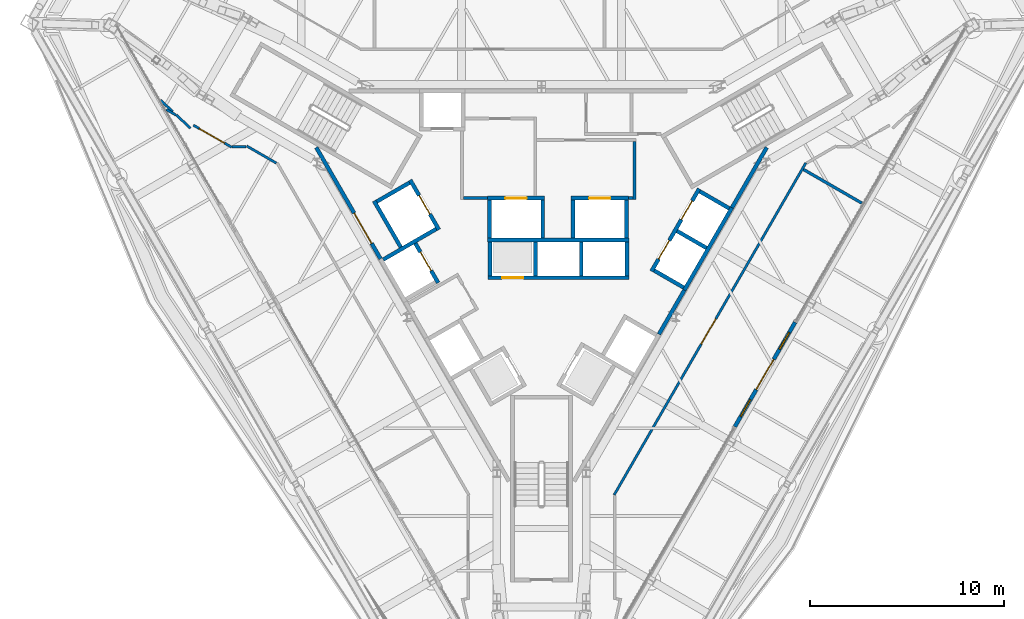
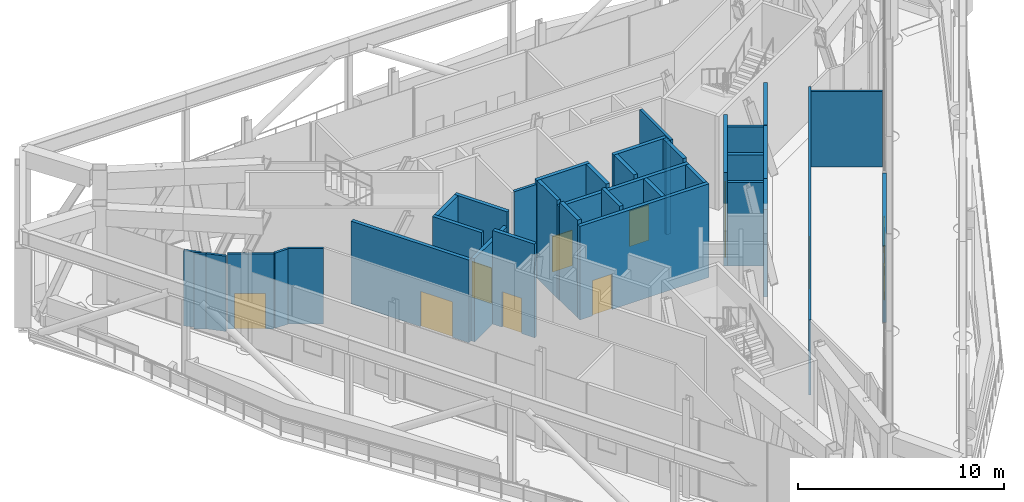
# One storey, part 16 of 25: 37 walls, 11 doors, 2 windows, 13 openings.
"""IFC4 building model written with IfcOpenShell, lengths in metres."""

from ifc_helpers import new_model, si_unit, direction, frame, frame_2d, origin, place, context, subcontext, project, spatial, rectangle, extrude, material, layer, layer_set, type_object, element, fill, save


model = new_model("IFC4")

# Units and contexts
model_context = context("Model", 3, precision=1e-05, world=origin(), true_north=direction((0.0, 1.0)))
body_context = subcontext(model_context, "Body", "Model", "MODEL_VIEW")
ifc_project = project(units=[si_unit("LENGTHUNIT", "METRE"), si_unit("AREAUNIT", "SQUARE_METRE"), si_unit("VOLUMEUNIT", "CUBIC_METRE"), si_unit("PLANEANGLEUNIT", "RADIAN"), si_unit("MASSUNIT", "GRAM", prefix="KILO")], contexts=[model_context])

# Site, building, storey
site_placement = place(None, origin())
site = spatial("IfcSite", under=ifc_project, at=site_placement, CompositionType="ELEMENT")
building_placement = place(site_placement, origin())
building = spatial("IfcBuilding", under=site, at=building_placement, Name="Verrane Prism Tower", CompositionType="ELEMENT")
storey_placement = place(building_placement, frame((0.0, 0.0, 258.199951171875)))
storey = spatial("IfcBuildingStorey", under=building, at=storey_placement, Name="L65", CompositionType="ELEMENT", Elevation=258.199951171875)

# Wall, opening, door
ifc_material_1 = material(Name="Gypsum board partition", Category="other")
ifc_layer_1 = layer(ifc_material_1, 0.199951171875)
ifc_layer_set_1 = layer_set([ifc_layer_1], Name="CW-200 core boundary wall 2 h")
wall_type_1 = type_object("IfcWallType", Name="CW-200 core boundary wall 2 h", PredefinedType="PARTITIONING", material=ifc_layer_set_1)
wall_1_placement = place(storey_placement, frame((-11.590576171875, 4.7548828125, 0.0), z_axis=(0.0, 0.0, 1.0), x_axis=(0.500043977787, -0.866000011708, 0.0)))
wall_1 = element("IfcWall", 1, at=wall_1_placement, inside=storey, type_object=wall_type_1, Name="Core boundary wall CW3-001", PredefinedType="PARTITIONING", context=body_context, shape_type="SweptSolid", body=[
    extrude(rectangle(XDim=6.61669921875, YDim=0.199951171875, at=frame_2d((3.308349609375, 0.0))), origin(), (0.0, 0.0, 1.0), 4.896728515625),
])
opening_1_placement = place(wall_1_placement, frame((3.89501953125, 0.0, 0.0)))
opening_1 = element("IfcOpeningElement", 2, at=opening_1_placement, cuts=wall_1, Name="Opening D65513", PredefinedType="OPENING", context=body_context, shape_type="SweptSolid", body=[
    extrude(rectangle(XDim=1.800048828125, YDim=2.10009765625, at=frame_2d((0.89990234375, 1.050048828125))), frame((0.0, 0.10986328125, 0.0), z_axis=(0.0, -1.0, 0.0), x_axis=(1.0, 0.0, 0.0)), (0.0, 0.0, 1.0), 0.219970703125),
])
ifc_material_2 = material(Name="Timber veneered door leaf", Category="wood")
door_type_1 = type_object("IfcDoorType", Name="DR-1800x2100 FD60 double leaf lift lobby", OperationType="NOTDEFINED", PredefinedType="DOOR", material=ifc_material_2)
door_1_placement = place(opening_1_placement, origin())
door_1 = element("IfcDoor", 3, at=door_1_placement, inside=storey, type_object=door_type_1, Name="Lift lobby door D65513", OperationType="DOUBLE_DOOR_SINGLE_SWING", OverallHeight=2.10009765625, OverallWidth=1.800048828125, PredefinedType="DOOR", context=body_context, shape_type="SweptSolid", body=[
    extrude(rectangle(XDim=1.800048828125, YDim=2.10009765625, at=frame_2d((0.89990234375, 1.050048828125))), frame((0.0, 0.02490234375, 0.0), z_axis=(0.0, -1.0, 0.0), x_axis=(1.0, 0.0, 0.0)), (0.0, 0.0, 1.0), 0.050048828125),
])
fill(opening_1, door_1)

# Walls
wall_2_placement = place(storey_placement, frame((6.0419921875, -4.85498046875, 0.0), z_axis=(0.0, 0.0, 1.0), x_axis=(0.500252727967, 0.865879442048, 0.0)))
element("IfcWall", 4, at=wall_2_placement, inside=storey, type_object=wall_type_1, Name="Core boundary wall CW3-007", PredefinedType="PARTITIONING", context=body_context, shape_type="SweptSolid", body=[
    extrude(rectangle(XDim=2.616943359375, YDim=0.199951171875, at=frame_2d((1.30859375, 0.0))), origin(), (0.0, 0.0, 1.0), 5.1904296875),
])
wall_3_placement = place(storey_placement, frame((9.802978515625, 1.657958984375, 0.0), z_axis=(0.0, 0.0, 1.0), x_axis=(0.499943114462, 0.866058244174, 0.0)))
element("IfcWall", 5, at=wall_3_placement, inside=storey, type_object=wall_type_1, Name="Core boundary wall CW3-008", PredefinedType="PARTITIONING", context=body_context, shape_type="SweptSolid", body=[
    extrude(rectangle(XDim=3.57568359375, YDim=0.199951171875, at=frame_2d((1.787841796875, 0.0))), origin(), (0.0, 0.0, 1.0), 4.932861328125),
])

# Wall, opening, door
ifc_material_3 = material(Name="Gypsum board shaft wall assembly", Category="other")
ifc_layer_2 = layer(ifc_material_3, 0.199951171875)
ifc_layer_set_2 = layer_set([ifc_layer_2], Name="HW-200 lift shaft wall 2 h")
wall_type_2 = type_object("IfcWallType", Name="HW-200 lift shaft wall 2 h", PredefinedType="PARTITIONING", material=ifc_layer_set_2)
wall_4_placement = place(storey_placement, frame((-2.7548828125, -1.949951171875, 0.0), z_axis=(0.0, 0.0, 1.0), x_axis=(1.0, 0.0, 0.0)))
wall_4 = element("IfcWall", 6, at=wall_4_placement, inside=storey, type_object=wall_type_2, Name="Lift shaft wall", PredefinedType="PARTITIONING", context=body_context, shape_type="SweptSolid", body=[
    extrude(rectangle(XDim=7.25, YDim=0.199951171875, at=frame_2d((3.625, 0.0))), origin(), (0.0, 0.0, 1.0), 5.550048828125),
])
opening_2_placement = place(wall_4_placement, frame((0.72509765625, 0.0, 0.0)))
opening_2 = element("IfcOpeningElement", 7, at=opening_2_placement, cuts=wall_4, Name="Opening D65508", PredefinedType="OPENING", context=body_context, shape_type="SweptSolid", body=[
    extrude(rectangle(XDim=1.10009765625, YDim=2.10009765625, at=frame_2d((0.550048828125, 1.050048828125))), frame((0.0, 0.10986328125, 0.0), z_axis=(0.0, -1.0, 0.0), x_axis=(1.0, 0.0, 0.0)), (0.0, 0.0, 1.0), 0.219970703125),
])
ifc_material_4 = material(Name="Stainless steel sliding landing door", Category="steel")
door_type_2 = type_object("IfcDoorType", Name="LD-1100x2100 lift landing door FD90 sliding", OperationType="NOTDEFINED", PredefinedType="DOOR", material=ifc_material_4)
door_2_placement = place(opening_2_placement, origin())
door_2 = element("IfcDoor", 8, at=door_2_placement, inside=storey, type_object=door_type_2, Name="Bank C lift 2 landing door", OperationType="SLIDING_TO_RIGHT", OverallHeight=2.10009765625, OverallWidth=1.10009765625, PredefinedType="DOOR", context=body_context, shape_type="SweptSolid", body=[
    extrude(rectangle(XDim=1.10009765625, YDim=2.10009765625, at=frame_2d((0.550048828125, 1.050048828125))), frame((0.0, 0.02490234375, 0.0), z_axis=(0.0, -1.0, 0.0), x_axis=(1.0, 0.0, 0.0)), (0.0, 0.0, 1.0), 0.050048828125),
])
fill(opening_2, door_2)

# Wall
wall_5_placement = place(storey_placement, frame((-2.784912109375, 0.0, 0.0), z_axis=(0.0, 0.0, 1.0), x_axis=(1.0, 0.0, 0.0)))
element("IfcWall", 9, at=wall_5_placement, inside=storey, type_object=wall_type_2, Name="Lift shaft wall", PredefinedType="PARTITIONING", context=body_context, shape_type="SweptSolid", body=[
    extrude(rectangle(XDim=7.280029296875, YDim=0.199951171875, at=frame_2d((3.64013671875, 0.0))), origin(), (0.0, 0.0, 1.0), 5.550048828125),
])

# Wall, opening, door
wall_6_placement = place(storey_placement, frame((-2.784912109375, 2.14990234375, 0.0), z_axis=(0.0, 0.0, 1.0), x_axis=(1.0, 0.0, 0.0)))
wall_6 = element("IfcWall", 10, at=wall_6_placement, inside=storey, type_object=wall_type_2, Name="Lift shaft wall", PredefinedType="PARTITIONING", context=body_context, shape_type="SweptSolid", body=[
    extrude(rectangle(XDim=2.949951171875, YDim=0.199951171875, at=frame_2d((1.47509765625, 0.0))), origin(), (0.0, 0.0, 1.0), 5.800048828125),
])
opening_3_placement = place(wall_6_placement, frame((0.925048828125, 0.0, 0.0)))
opening_3 = element("IfcOpeningElement", 11, at=opening_3_placement, cuts=wall_6, Name="Opening D65510", PredefinedType="OPENING", context=body_context, shape_type="SweptSolid", body=[
    extrude(rectangle(XDim=1.10009765625, YDim=2.10009765625, at=frame_2d((0.550048828125, 1.050048828125))), frame((0.0, 0.10986328125, 0.0), z_axis=(0.0, -1.0, 0.0), x_axis=(1.0, 0.0, 0.0)), (0.0, 0.0, 1.0), 0.219970703125),
])
door_3_placement = place(opening_3_placement, origin())
door_3 = element("IfcDoor", 12, at=door_3_placement, inside=storey, type_object=door_type_2, Name="Fire service lift 1 landing door", OperationType="SLIDING_TO_LEFT", OverallHeight=2.10009765625, OverallWidth=1.10009765625, PredefinedType="DOOR", context=body_context, shape_type="SweptSolid", body=[
    extrude(rectangle(XDim=1.10009765625, YDim=2.10009765625, at=frame_2d((0.550048828125, 1.050048828125))), frame((0.0, 0.02490234375, 0.0), z_axis=(0.0, -1.0, 0.0), x_axis=(1.0, 0.0, 0.0)), (0.0, 0.0, 1.0), 0.050048828125),
])
fill(opening_3, door_3)

wall_7_placement = place(storey_placement, frame((1.52490234375, 2.14990234375, 0.0), z_axis=(0.0, 0.0, 1.0), x_axis=(1.0, 0.0, 0.0)))
wall_7 = element("IfcWall", 13, at=wall_7_placement, inside=storey, type_object=wall_type_2, Name="Lift shaft wall", PredefinedType="PARTITIONING", context=body_context, shape_type="SweptSolid", body=[
    extrude(rectangle(XDim=2.9501953125, YDim=0.199951171875, at=frame_2d((1.47509765625, 0.0))), origin(), (0.0, 0.0, 1.0), 5.800048828125),
])
opening_4_placement = place(wall_7_placement, frame((0.925048828125, 0.0, 0.0)))
opening_4 = element("IfcOpeningElement", 14, at=opening_4_placement, cuts=wall_7, Name="Opening D65511", PredefinedType="OPENING", context=body_context, shape_type="SweptSolid", body=[
    extrude(rectangle(XDim=1.10009765625, YDim=2.10009765625, at=frame_2d((0.550048828125, 1.050048828125))), frame((0.0, 0.10986328125, 0.0), z_axis=(0.0, -1.0, 0.0), x_axis=(1.0, 0.0, 0.0)), (0.0, 0.0, 1.0), 0.219970703125),
])
door_4_placement = place(opening_4_placement, origin())
door_4 = element("IfcDoor", 15, at=door_4_placement, inside=storey, type_object=door_type_2, Name="Fire service lift 2 landing door", OperationType="SLIDING_TO_RIGHT", OverallHeight=2.10009765625, OverallWidth=1.10009765625, PredefinedType="DOOR", context=body_context, shape_type="SweptSolid", body=[
    extrude(rectangle(XDim=1.10009765625, YDim=2.10009765625, at=frame_2d((0.550048828125, 1.050048828125))), frame((0.0, 0.02490234375, 0.0), z_axis=(0.0, -1.0, 0.0), x_axis=(1.0, 0.0, 0.0)), (0.0, 0.0, 1.0), 0.050048828125),
])
fill(opening_4, door_4)

# Walls
wall_8_placement = place(storey_placement, frame((-8.14453125, -1.012939453125, 0.0), z_axis=(0.0, 0.0, 1.0), x_axis=(0.866016494683, 0.500015430699, 0.0)))
element("IfcWall", 16, at=wall_8_placement, inside=storey, type_object=wall_type_2, Name="Lift shaft wall", PredefinedType="PARTITIONING", context=body_context, shape_type="SweptSolid", body=[
    extrude(rectangle(XDim=3.14990234375, YDim=0.199951171875, at=frame_2d((1.574951171875, 0.0))), origin(), (0.0, 0.0, 1.0), 4.932861328125),
])
wall_9_placement = place(storey_placement, frame((-8.48046875, 1.968505859375, 0.0), z_axis=(0.0, 0.0, 1.0), x_axis=(0.866000020948, 0.500043961785, 0.0)))
element("IfcWall", 17, at=wall_9_placement, inside=storey, type_object=wall_type_2, Name="Lift shaft wall", PredefinedType="PARTITIONING", context=body_context, shape_type="SweptSolid", body=[
    extrude(rectangle(XDim=1.949951171875, YDim=0.199951171875, at=frame_2d((0.97509765625, 0.0))), origin(), (0.0, 0.0, 1.0), 5.800048828125),
])
wall_10_placement = place(storey_placement, frame((7.351318359375, -2.587158203125, 0.0), z_axis=(0.0, 0.0, 1.0), x_axis=(0.500002801628, 0.866023786258, 0.0)))
element("IfcWall", 18, at=wall_10_placement, inside=storey, type_object=wall_type_2, Name="Lift shaft wall", PredefinedType="PARTITIONING", context=body_context, shape_type="SweptSolid", body=[
    extrude(rectangle(XDim=4.89990234375, YDim=0.199951171875, at=frame_2d((2.449951171875, 0.0))), origin(), (0.0, 0.0, 1.0), 4.896728515625),
])

# Wall, openings, doors
wall_11_placement = place(storey_placement, frame((5.66259765625, -1.6123046875, 0.0), z_axis=(0.0, 0.0, 1.0), x_axis=(0.49998122708, 0.866036242063, 0.0)))
wall_11 = element("IfcWall", 19, at=wall_11_placement, inside=storey, type_object=wall_type_2, Name="Lift shaft wall", PredefinedType="PARTITIONING", context=body_context, shape_type="SweptSolid", body=[
    extrude(rectangle(XDim=4.900146484375, YDim=0.199951171875, at=frame_2d((2.4501953125, 0.0))), origin(), (0.0, 0.0, 1.0), 5.550048828125),
])
opening_5_placement = place(wall_11_placement, frame((3.074951171875, 0.0, 0.0)))
opening_5 = element("IfcOpeningElement", 20, at=opening_5_placement, cuts=wall_11, Name="Opening D65503", PredefinedType="OPENING", context=body_context, shape_type="SweptSolid", body=[
    extrude(rectangle(XDim=1.10009765625, YDim=2.10009765625, at=frame_2d((0.550048828125, 1.050048828125))), frame((0.0, 0.10986328125, 0.0), z_axis=(0.0, -1.0, 0.0), x_axis=(1.0, 0.0, 0.0)), (0.0, 0.0, 1.0), 0.219970703125),
])
opening_6_placement = place(wall_11_placement, frame((0.72509765625, 0.0, 0.0)))
opening_6 = element("IfcOpeningElement", 21, at=opening_6_placement, cuts=wall_11, Name="Opening D65505", PredefinedType="OPENING", context=body_context, shape_type="SweptSolid", body=[
    extrude(rectangle(XDim=1.10009765625, YDim=2.10009765625, at=frame_2d((0.550048828125, 1.050048828125))), frame((0.0, 0.10986328125, 0.0), z_axis=(0.0, -1.0, 0.0), x_axis=(1.0, 0.0, 0.0)), (0.0, 0.0, 1.0), 0.219970703125),
])
door_5_placement = place(opening_5_placement, origin())
door_5 = element("IfcDoor", 22, at=door_5_placement, inside=storey, type_object=door_type_2, Name="Shuttle lift 1 landing door", OperationType="SLIDING_TO_LEFT", OverallHeight=2.10009765625, OverallWidth=1.10009765625, PredefinedType="DOOR", context=body_context, shape_type="SweptSolid", body=[
    extrude(rectangle(XDim=1.10009765625, YDim=2.10009765625, at=frame_2d((0.550048828125, 1.050048828125))), frame((0.0, 0.02490234375, 0.0), z_axis=(0.0, -1.0, 0.0), x_axis=(1.0, 0.0, 0.0)), (0.0, 0.0, 1.0), 0.050048828125),
])
fill(opening_5, door_5)
door_6_placement = place(opening_6_placement, origin())
door_6 = element("IfcDoor", 23, at=door_6_placement, inside=storey, type_object=door_type_2, Name="Shuttle lift 3 landing door", OperationType="SLIDING_TO_LEFT", OverallHeight=2.10009765625, OverallWidth=1.10009765625, PredefinedType="DOOR", context=body_context, shape_type="SweptSolid", body=[
    extrude(rectangle(XDim=1.10009765625, YDim=2.10009765625, at=frame_2d((0.550048828125, 1.050048828125))), frame((0.0, 0.02490234375, 0.0), z_axis=(0.0, -1.0, 0.0), x_axis=(1.0, 0.0, 0.0)), (0.0, 0.0, 1.0), 0.050048828125),
])
fill(opening_6, door_6)

# Walls
wall_12_placement = place(storey_placement, frame((4.39501953125, -1.85009765625, 0.0), z_axis=(0.0, 0.0, 1.0), x_axis=(0.0, 1.0, 0.0)))
element("IfcWall", 24, at=wall_12_placement, inside=storey, type_object=wall_type_2, Name="Lift shaft wall", PredefinedType="PARTITIONING", context=body_context, shape_type="SweptSolid", body=[
    extrude(rectangle(XDim=1.75, YDim=0.199951171875, at=frame_2d((0.875, 0.0))), origin(), (0.0, 0.0, 1.0), 5.550048828125),
])
wall_13_placement = place(storey_placement, frame((4.375, 0.10009765625, 0.0), z_axis=(0.0, 0.0, 1.0), x_axis=(0.0, 1.0, 0.0)))
element("IfcWall", 25, at=wall_13_placement, inside=storey, type_object=wall_type_2, Name="Lift shaft wall", PredefinedType="PARTITIONING", context=body_context, shape_type="SweptSolid", body=[
    extrude(rectangle(XDim=1.949951171875, YDim=0.199951171875, at=frame_2d((0.97509765625, 0.0))), origin(), (0.0, 0.0, 1.0), 5.800048828125),
])
wall_14_placement = place(storey_placement, frame((2.044921875, -1.85009765625, 0.0), z_axis=(0.0, 0.0, 1.0), x_axis=(0.0, 1.0, 0.0)))
element("IfcWall", 26, at=wall_14_placement, inside=storey, type_object=wall_type_2, Name="Lift shaft wall", PredefinedType="PARTITIONING", context=body_context, shape_type="SweptSolid", body=[
    extrude(rectangle(XDim=1.75, YDim=0.199951171875, at=frame_2d((0.875, 0.0))), origin(), (0.0, 0.0, 1.0), 5.550048828125),
])
for number, where, z_axis, x_axis, name in (
    (27, (1.625, 0.10009765625, 0.0), (0.0, 0.0, 1.0), (0.0, 1.0, 0.0), "Lift shaft wall"),
    (28, (0.06494140625, 0.10009765625, 0.0), (0.0, 0.0, 1.0), (0.0, 1.0, 0.0), "Lift shaft wall"),
):
    element("IfcWall", number, at=place(storey_placement, frame(where, z_axis=z_axis, x_axis=x_axis)), inside=storey, type_object=wall_type_2, Name=name, PredefinedType="PARTITIONING", context=body_context, shape_type="SweptSolid", body=[
        extrude(rectangle(XDim=1.949951171875, YDim=0.199951171875, at=frame_2d((0.97509765625, 0.0))), origin(), (0.0, 0.0, 1.0), 5.800048828125),
    ])
for number, where, z_axis, x_axis, name in (
    (29, (-0.304931640625, -1.85009765625, 0.0), (0.0, 0.0, 1.0), (0.0, 1.0, 0.0), "Lift shaft wall"),
    (30, (-2.655029296875, -1.85009765625, 0.0), (0.0, 0.0, 1.0), (0.0, 1.0, 0.0), "Lift shaft wall"),
):
    element("IfcWall", number, at=place(storey_placement, frame(where, z_axis=z_axis, x_axis=x_axis)), inside=storey, type_object=wall_type_2, Name=name, PredefinedType="PARTITIONING", context=body_context, shape_type="SweptSolid", body=[
        extrude(rectangle(XDim=1.75, YDim=0.199951171875, at=frame_2d((0.875, 0.0))), origin(), (0.0, 0.0, 1.0), 5.800048828125),
    ])
wall_15_placement = place(storey_placement, frame((-2.68505859375, 0.10009765625, 0.0), z_axis=(0.0, 0.0, 1.0), x_axis=(0.0, 1.0, 0.0)))
element("IfcWall", 31, at=wall_15_placement, inside=storey, type_object=wall_type_2, Name="Lift shaft wall", PredefinedType="PARTITIONING", context=body_context, shape_type="SweptSolid", body=[
    extrude(rectangle(XDim=1.949951171875, YDim=0.199951171875, at=frame_2d((0.97509765625, 0.0))), origin(), (0.0, 0.0, 1.0), 5.800048828125),
])

# Wall, opening, door
wall_16_placement = place(storey_placement, frame((-5.280029296875, 0.525390625, 0.0), z_axis=(0.0, 0.0, 1.0), x_axis=(-0.500037662692, 0.866003658127, 0.0)))
wall_16 = element("IfcWall", 32, at=wall_16_placement, inside=storey, type_object=wall_type_2, Name="Lift shaft wall", PredefinedType="PARTITIONING", context=body_context, shape_type="SweptSolid", body=[
    extrude(rectangle(XDim=2.949951171875, YDim=0.199951171875, at=frame_2d((1.47509765625, 0.0))), origin(), (0.0, 0.0, 1.0), 5.800048828125),
])
opening_7_placement = place(wall_16_placement, frame((0.925048828125, 0.0, 0.0)))
opening_7 = element("IfcOpeningElement", 33, at=opening_7_placement, cuts=wall_16, Name="Opening D65512", PredefinedType="OPENING", context=body_context, shape_type="SweptSolid", body=[
    extrude(rectangle(XDim=1.10009765625, YDim=2.10009765625, at=frame_2d((0.550048828125, 1.050048828125))), frame((0.0, 0.10986328125, 0.0), z_axis=(0.0, -1.0, 0.0), x_axis=(1.0, 0.0, 0.0)), (0.0, 0.0, 1.0), 0.219970703125),
])
door_7_placement = place(opening_7_placement, origin())
door_7 = element("IfcDoor", 34, at=door_7_placement, inside=storey, type_object=door_type_2, Name="Service lift 1 landing door", OperationType="SLIDING_TO_LEFT", OverallHeight=2.10009765625, OverallWidth=1.10009765625, PredefinedType="DOOR", context=body_context, shape_type="SweptSolid", body=[
    extrude(rectangle(XDim=1.10009765625, YDim=2.10009765625, at=frame_2d((0.550048828125, 1.050048828125))), frame((0.0, 0.02490234375, 0.0), z_axis=(0.0, -1.0, 0.0), x_axis=(1.0, 0.0, 0.0)), (0.0, 0.0, 1.0), 0.050048828125),
])
fill(opening_7, door_7)

wall_17_placement = place(storey_placement, frame((-5.317626953125, -2.209716796875, 0.0), z_axis=(0.0, 0.0, 1.0), x_axis=(-0.499938297808, 0.866061024631, 0.0)))
wall_17 = element("IfcWall", 35, at=wall_17_placement, inside=storey, type_object=wall_type_2, Name="Lift shaft wall", PredefinedType="PARTITIONING", context=body_context, shape_type="SweptSolid", body=[
    extrude(rectangle(XDim=2.349853515625, YDim=0.199951171875, at=frame_2d((1.1748046875, 0.0))), origin(), (0.0, 0.0, 1.0), 5.550048828125),
])
opening_8_placement = place(wall_17_placement, frame((0.72509765625, 0.0, 0.0)))
opening_8 = element("IfcOpeningElement", 36, at=opening_8_placement, cuts=wall_17, Name="Opening D65506", PredefinedType="OPENING", context=body_context, shape_type="SweptSolid", body=[
    extrude(rectangle(XDim=1.10009765625, YDim=2.10009765625, at=frame_2d((0.550048828125, 1.050048828125))), frame((0.0, 0.10986328125, 0.0), z_axis=(0.0, -1.0, 0.0), x_axis=(1.0, 0.0, 0.0)), (0.0, 0.0, 1.0), 0.219970703125),
])
door_8_placement = place(opening_8_placement, origin())
door_8 = element("IfcDoor", 37, at=door_8_placement, inside=storey, type_object=door_type_2, Name="Shuttle lift 4 landing door", OperationType="SLIDING_TO_RIGHT", OverallHeight=2.10009765625, OverallWidth=1.10009765625, PredefinedType="DOOR", context=body_context, shape_type="SweptSolid", body=[
    extrude(rectangle(XDim=1.10009765625, YDim=2.10009765625, at=frame_2d((0.550048828125, 1.050048828125))), frame((0.0, 0.02490234375, 0.0), z_axis=(0.0, -1.0, 0.0), x_axis=(1.0, 0.0, 0.0)), (0.0, 0.0, 1.0), 0.050048828125),
])
fill(opening_8, door_8)

# Walls
wall_18_placement = place(storey_placement, frame((-7.241943359375, -0.37646484375, 0.0), z_axis=(0.0, 0.0, 1.0), x_axis=(-0.499996545922, 0.866027397988, 0.0)))
element("IfcWall", 38, at=wall_18_placement, inside=storey, type_object=wall_type_2, Name="Lift shaft wall", PredefinedType="PARTITIONING", context=body_context, shape_type="SweptSolid", body=[
    extrude(rectangle(XDim=2.75, YDim=0.199951171875, at=frame_2d((1.375, 0.0))), origin(), (0.0, 0.0, 1.0), 5.800048828125),
])
wall_19_placement = place(storey_placement, frame((9.66455078125, 1.61962890625, 0.0), z_axis=(0.0, 0.0, 1.0), x_axis=(-0.866002029911, 0.500040482552, 0.0)))
element("IfcWall", 39, at=wall_19_placement, inside=storey, type_object=wall_type_2, Name="Lift shaft wall", PredefinedType="PARTITIONING", context=body_context, shape_type="SweptSolid", body=[
    extrude(rectangle(XDim=1.749755859375, YDim=0.199951171875, at=frame_2d((0.875, 0.0))), origin(), (0.0, 0.0, 1.0), 4.932861328125),
])
for number, where, z_axis, x_axis, name in (
    (40, (8.48974609375, -0.41552734375, 0.0), (0.0, 0.0, 1.0), (-0.866036909293, 0.499980071345, 0.0), "Lift shaft wall"),
    (41, (7.314697265625, -2.45068359375, 0.0), (0.0, 0.0, 1.0), (-0.866036909293, 0.499980071345, 0.0), "Lift shaft wall"),
):
    element("IfcWall", number, at=place(storey_placement, frame(where, z_axis=z_axis, x_axis=x_axis)), inside=storey, type_object=wall_type_2, Name=name, PredefinedType="PARTITIONING", context=body_context, shape_type="SweptSolid", body=[
        extrude(rectangle(XDim=1.75, YDim=0.199951171875, at=frame_2d((0.875, 0.0))), origin(), (0.0, 0.0, 1.0), 4.932861328125),
    ])
ifc_material_5 = material(Name="Gypsum board partition", Category="other")
ifc_layer_3 = layer(ifc_material_5, 0.14990234375)
ifc_layer_set_3 = layer_set([ifc_layer_3], Name="LF-150 firefighting lobby wall 1 h")
wall_type_3 = type_object("IfcWallType", Name="LF-150 firefighting lobby wall 1 h", PredefinedType="PARTITIONING", material=ifc_layer_set_3)
wall_20_placement = place(storey_placement, frame((-4.02490234375, 2.159912109375, 0.0), z_axis=(0.0, 0.0, 1.0), x_axis=(1.0, 0.0, 0.0)))
element("IfcWall", 42, at=wall_20_placement, inside=storey, type_object=wall_type_3, Name="Firefighting lobby wall LF1-002", PredefinedType="PARTITIONING", context=body_context, shape_type="SweptSolid", body=[
    extrude(rectangle(XDim=1.23779296875, YDim=0.14990234375, at=frame_2d((0.618896484375, 0.0))), origin(), (0.0, 0.0, 1.0), 5.550048828125),
])
wall_21_placement = place(storey_placement, frame((4.47705078125, 2.159912109375, 0.0), z_axis=(0.0, 0.0, 1.0), x_axis=(1.0, 0.0, 0.0)))
element("IfcWall", 43, at=wall_21_placement, inside=storey, type_object=wall_type_3, Name="Firefighting lobby wall LF1-006", PredefinedType="PARTITIONING", context=body_context, shape_type="SweptSolid", body=[
    extrude(rectangle(XDim=0.238037109375, YDim=0.14990234375, at=frame_2d((0.119140625, 0.0))), origin(), (0.0, 0.0, 1.0), 5.550048828125),
])
wall_22_placement = place(storey_placement, frame((4.7900390625, 2.0849609375, 0.0), z_axis=(0.0, 0.0, 1.0), x_axis=(0.0, 1.0, 0.0)))
element("IfcWall", 44, at=wall_22_placement, inside=storey, type_object=wall_type_3, Name="Firefighting lobby wall LF1-007", PredefinedType="PARTITIONING", context=body_context, shape_type="SweptSolid", body=[
    extrude(rectangle(XDim=2.97998046875, YDim=0.14990234375, at=frame_2d((1.489990234375, 0.0))), origin(), (0.0, 0.0, 1.0), 5.550048828125),
])
ifc_material_6 = material(Name="Gypsum board partition", Category="other")
ifc_layer_4 = layer(ifc_material_6, 0.125)
ifc_layer_set_4 = layer_set([ifc_layer_4], Name="PW-125 corridor wall 1 h")
wall_type_4 = type_object("IfcWallType", Name="PW-125 corridor wall 1 h", PredefinedType="PARTITIONING", material=ifc_layer_set_4)
wall_23_placement = place(storey_placement, frame((-19.608154296875, 7.192138671875, 0.0), z_axis=(0.0, 0.0, 1.0), x_axis=(0.729729583448, -0.683735866428, 0.0)))
element("IfcWall", 45, at=wall_23_placement, inside=storey, type_object=wall_type_4, Name="Corridor wall 001", PredefinedType="PARTITIONING", context=body_context, shape_type="SweptSolid", body=[
    extrude(rectangle(XDim=0.87060546875, YDim=0.125, at=frame_2d((0.435302734375, 0.0))), origin(), (0.0, 0.0, 1.0), 4.462158203125),
])
wall_24_placement = place(storey_placement, frame((-19.306396484375, 6.70849609375, 0.0), z_axis=(0.0, 0.0, 1.0), x_axis=(0.866107403877, -0.499857944771, 0.0)))
element("IfcWall", 46, at=wall_24_placement, inside=storey, type_object=wall_type_4, Name="Corridor wall 002", PredefinedType="PARTITIONING", context=body_context, shape_type="SweptSolid", body=[
    extrude(rectangle(XDim=0.572021484375, YDim=0.125, at=frame_2d((0.2861328125, 0.0))), origin(), (0.0, 0.0, 1.0), 4.462158203125),
])
wall_25_placement = place(storey_placement, frame((-18.791748046875, 6.427734375, 0.0), z_axis=(0.0, 0.0, 1.0), x_axis=(0.730385905706, -0.683034720015, 0.0)))
element("IfcWall", 47, at=wall_25_placement, inside=storey, type_object=wall_type_4, Name="Corridor wall 003", PredefinedType="PARTITIONING", context=body_context, shape_type="SweptSolid", body=[
    extrude(rectangle(XDim=0.9951171875, YDim=0.125, at=frame_2d((0.49755859375, 0.0))), origin(), (0.0, 0.0, 1.0), 4.462158203125),
])

# Wall, opening, door
wall_26_placement = place(storey_placement, frame((-15.94482421875, 4.768798828125, 0.0), z_axis=(0.0, 0.0, 1.0), x_axis=(-0.866296257949, 0.499530573103, 0.0)))
wall_26 = element("IfcWall", 48, at=wall_26_placement, inside=storey, type_object=wall_type_4, Name="Corridor wall 004", PredefinedType="PARTITIONING", context=body_context, shape_type="SweptSolid", body=[
    extrude(rectangle(XDim=2.276611328125, YDim=0.125, at=frame_2d((1.13818359375, 0.0))), origin(), (0.0, 0.0, 1.0), 4.462158203125),
])
opening_9_placement = place(wall_26_placement, frame((0.426513671875, 0.0, 0.0)))
opening_9 = element("IfcOpeningElement", 49, at=opening_9_placement, cuts=wall_26, Name="Opening D65004", PredefinedType="OPENING", context=body_context, shape_type="SweptSolid", body=[
    extrude(rectangle(XDim=1.5, YDim=2.10009765625, at=frame_2d((0.75, 1.050048828125))), frame((0.0, 0.072509765625, 0.0), z_axis=(0.0, -1.0, 0.0), x_axis=(1.0, 0.0, 0.0)), (0.0, 0.0, 1.0), 0.14501953125),
])
ifc_material_7 = material(Name="Timber veneered door leaf", Category="wood")
door_type_3 = type_object("IfcDoorType", Name="DR-1500x2100 FD60 double leaf unit", OperationType="NOTDEFINED", PredefinedType="DOOR", material=ifc_material_7)
door_9_placement = place(opening_9_placement, origin())
door_9 = element("IfcDoor", 50, at=door_9_placement, inside=storey, type_object=door_type_3, Name="Refuge Area door", OperationType="DOUBLE_DOOR_SINGLE_SWING", OverallHeight=2.10009765625, OverallWidth=1.5, PredefinedType="DOOR", context=body_context, shape_type="SweptSolid", body=[
    extrude(rectangle(XDim=1.5, YDim=2.10009765625, at=frame_2d((0.75, 1.050048828125))), frame((0.0, 0.02490234375, 0.0), z_axis=(0.0, -1.0, 0.0), x_axis=(1.0, 0.0, 0.0)), (0.0, 0.0, 1.0), 0.050048828125),
])
fill(opening_9, door_9)

# Walls
wall_27_placement = place(storey_placement, frame((-15.9140625, 4.800048828125, 0.0), z_axis=(0.0, 0.0, 1.0), x_axis=(1.0, 0.0, 0.0)))
element("IfcWall", 51, at=wall_27_placement, inside=storey, type_object=wall_type_4, Name="Corridor wall 005", PredefinedType="PARTITIONING", context=body_context, shape_type="SweptSolid", body=[
    extrude(rectangle(XDim=0.716064453125, YDim=0.125, at=frame_2d((0.35791015625, 0.0))), origin(), (0.0, 0.0, 1.0), 4.462158203125),
])
wall_28_placement = place(storey_placement, frame((-15.167236328125, 4.831298828125, 0.0), z_axis=(0.0, 0.0, 1.0), x_axis=(0.865930689144, -0.500164014697, 0.0)))
element("IfcWall", 52, at=wall_28_placement, inside=storey, type_object=wall_type_4, Name="Corridor wall 007", PredefinedType="PARTITIONING", context=body_context, shape_type="SweptSolid", body=[
    extrude(rectangle(XDim=1.7548828125, YDim=0.125, at=frame_2d((0.87744140625, 0.0))), origin(), (0.0, 0.0, 1.0), 4.462158203125),
])

# Wall, opening, door
wall_29_placement = place(storey_placement, frame((13.605224609375, 3.965087890625, 0.0), z_axis=(0.0, 0.0, 1.0), x_axis=(-0.499986289957, -0.866033319137, 0.0)))
wall_29 = element("IfcWall", 53, at=wall_29_placement, inside=storey, type_object=wall_type_4, Name="Corridor wall 022", PredefinedType="PARTITIONING", context=body_context, shape_type="SweptSolid", body=[
    extrude(rectangle(XDim=19.7314453125, YDim=0.125, at=frame_2d((9.86572265625, 0.0))), origin(), (0.0, 0.0, 1.0), 4.462158203125),
])
opening_10_placement = place(wall_29_placement, frame((9.26904296875, 0.0, 0.0)))
opening_10 = element("IfcOpeningElement", 54, at=opening_10_placement, cuts=wall_29, Name="Opening D65006", PredefinedType="OPENING", context=body_context, shape_type="SweptSolid", body=[
    extrude(rectangle(XDim=1.5, YDim=2.10009765625, at=frame_2d((0.75, 1.050048828125))), frame((0.0, 0.072509765625, 0.0), z_axis=(0.0, -1.0, 0.0), x_axis=(1.0, 0.0, 0.0)), (0.0, 0.0, 1.0), 0.14501953125),
])
door_10_placement = place(opening_10_placement, origin())
door_10 = element("IfcDoor", 55, at=door_10_placement, inside=storey, type_object=door_type_3, Name="Refuge Area door", OperationType="DOUBLE_DOOR_SINGLE_SWING", OverallHeight=2.10009765625, OverallWidth=1.5, PredefinedType="DOOR", context=body_context, shape_type="SweptSolid", body=[
    extrude(rectangle(XDim=1.5, YDim=2.10009765625, at=frame_2d((0.75, 1.050048828125))), frame((0.0, 0.02490234375, 0.0), z_axis=(0.0, -1.0, 0.0), x_axis=(1.0, 0.0, 0.0)), (0.0, 0.0, 1.0), 0.050048828125),
])
fill(opening_10, door_10)

# Wall
ifc_material_8 = material(Name="Gypsum board partition", Category="other")
ifc_layer_5 = layer(ifc_material_8, 0.14990234375)
ifc_layer_set_5 = layer_set([ifc_layer_5], Name="PW-150 demising wall 1 h")
wall_type_5 = type_object("IfcWallType", Name="PW-150 demising wall 1 h", PredefinedType="PARTITIONING", material=ifc_layer_set_5)
wall_30_placement = place(storey_placement, frame((13.4853515625, 3.623291015625, 0.0), z_axis=(0.0, 0.0, 1.0), x_axis=(0.866041005548, -0.49997297598, 0.0)))
element("IfcWall", 56, at=wall_30_placement, inside=storey, type_object=wall_type_5, Name="Demising wall 024", PredefinedType="PARTITIONING", context=body_context, shape_type="SweptSolid", body=[
    extrude(rectangle(XDim=3.458740234375, YDim=0.14990234375, at=frame_2d((1.7294921875, 0.0))), origin(), (0.0, 0.0, 1.0), 4.462158203125),
])

# Wall, openings, door, windows
ifc_material_9 = material(Name="Aluminium framed insulated glazing", Category="aluminium")
ifc_layer_6 = layer(ifc_material_9, 0.199951171875)
ifc_layer_set_6 = layer_set([ifc_layer_6], Name="Refuge screen wall 200")
wall_type_6 = type_object("IfcWallType", Name="Refuge screen wall 200", PredefinedType="SOLIDWALL", material=ifc_layer_set_6)
wall_31_placement = place(storey_placement, frame((9.95068359375, -9.6083984375, 0.0), z_axis=(0.0, 0.0, 1.0), x_axis=(0.500026960575, 0.86600983753, 0.0)))
wall_31 = element("IfcWall", 57, at=wall_31_placement, inside=storey, type_object=wall_type_6, Name="Refuge screen wall south-east face L65", PredefinedType="SOLIDWALL", context=body_context, shape_type="SweptSolid", body=[
    extrude(rectangle(XDim=6.199951171875, YDim=0.199951171875, at=frame_2d((3.10009765625, 0.0))), origin(), (0.0, 0.0, 1.0), 4.5224609375),
])
opening_11_placement = place(wall_31_placement, frame((0.60009765625, 0.0, 0.89990234375)))
opening_11 = element("IfcOpeningElement", 58, at=opening_11_placement, cuts=wall_31, Name="Opening W65707", PredefinedType="OPENING", context=body_context, shape_type="SweptSolid", body=[
    extrude(rectangle(XDim=1.0, YDim=1.5, at=frame_2d((0.5, 0.75))), frame((0.0, 0.10986328125, 0.0), z_axis=(0.0, -1.0, 0.0), x_axis=(1.0, 0.0, 0.0)), (0.0, 0.0, 1.0), 0.219970703125),
])
opening_12_placement = place(wall_31_placement, frame((2.199951171875, 0.0, 0.0)))
opening_12 = element("IfcOpeningElement", 59, at=opening_12_placement, cuts=wall_31, Name="Opening D65704", PredefinedType="OPENING", context=body_context, shape_type="SweptSolid", body=[
    extrude(rectangle(XDim=1.800048828125, YDim=2.39990234375, at=frame_2d((0.89990234375, 1.199951171875))), frame((0.0, 0.10986328125, 0.0), z_axis=(0.0, -1.0, 0.0), x_axis=(1.0, 0.0, 0.0)), (0.0, 0.0, 1.0), 0.219970703125),
])
opening_13_placement = place(wall_31_placement, frame((4.60009765625, 0.0, 0.89990234375)))
opening_13 = element("IfcOpeningElement", 60, at=opening_13_placement, cuts=wall_31, Name="Opening W65708", PredefinedType="OPENING", context=body_context, shape_type="SweptSolid", body=[
    extrude(rectangle(XDim=1.0, YDim=1.5, at=frame_2d((0.5, 0.75))), frame((0.0, 0.10986328125, 0.0), z_axis=(0.0, -1.0, 0.0), x_axis=(1.0, 0.0, 0.0)), (0.0, 0.0, 1.0), 0.219970703125),
])
ifc_material_10 = material(Name="Aluminium framed glazing", Category="aluminium")
door_type_4 = type_object("IfcDoorType", Name="DR-1800x2400 double glazed garden door", OperationType="DOUBLE_DOOR_SINGLE_SWING", PredefinedType="DOOR", material=ifc_material_10)
door_11_placement = place(opening_12_placement, frame((1.800048828125, 0.0, 0.0), z_axis=(0.0, 0.0, 1.0), x_axis=(-1.0, 0.0, 0.0)))
door_11 = element("IfcDoor", 61, at=door_11_placement, inside=storey, type_object=door_type_4, Name="Refuge terrace door D65704", OperationType="DOUBLE_DOOR_SINGLE_SWING", OverallHeight=2.39990234375, OverallWidth=1.800048828125, PredefinedType="DOOR", context=body_context, shape_type="SweptSolid", body=[
    extrude(rectangle(XDim=1.800048828125, YDim=2.39990234375, at=frame_2d((0.89990234375, 1.199951171875))), frame((0.0, 0.02490234375, 0.0), z_axis=(0.0, -1.0, 0.0), x_axis=(1.0, 0.0, 0.0)), (0.0, 0.0, 1.0), 0.050048828125),
])
fill(opening_12, door_11)
ifc_material_11 = material(Name="Aluminium framed glazing", Category="aluminium")
window_type = type_object("IfcWindowType", Name="Vent window 1000x1500 top hung", PartitioningType="SINGLE_PANEL", PredefinedType="WINDOW", material=ifc_material_11)
window_1_placement = place(opening_11_placement, origin())
window_1 = element("IfcWindow", 62, at=window_1_placement, inside=storey, type_object=window_type, Name="Vent window W65707", OverallHeight=1.5, OverallWidth=1.0, PartitioningType="SINGLE_PANEL", PredefinedType="WINDOW", context=body_context, shape_type="SweptSolid", body=[
    extrude(rectangle(XDim=1.0, YDim=1.5, at=frame_2d((0.5, 0.75))), frame((0.0, 0.030029296875, 0.0), z_axis=(0.0, -1.0, 0.0), x_axis=(1.0, 0.0, 0.0)), (0.0, 0.0, 1.0), 0.06005859375),
])
fill(opening_11, window_1)
window_2_placement = place(opening_13_placement, origin())
window_2 = element("IfcWindow", 63, at=window_2_placement, inside=storey, type_object=window_type, Name="Vent window W65708", OverallHeight=1.5, OverallWidth=1.0, PartitioningType="SINGLE_PANEL", PredefinedType="WINDOW", context=body_context, shape_type="SweptSolid", body=[
    extrude(rectangle(XDim=1.0, YDim=1.5, at=frame_2d((0.5, 0.75))), frame((0.0, 0.030029296875, 0.0), z_axis=(0.0, -1.0, 0.0), x_axis=(1.0, 0.0, 0.0)), (0.0, 0.0, 1.0), 0.06005859375),
])
fill(opening_13, window_2)

save(model, "model.ifc")
